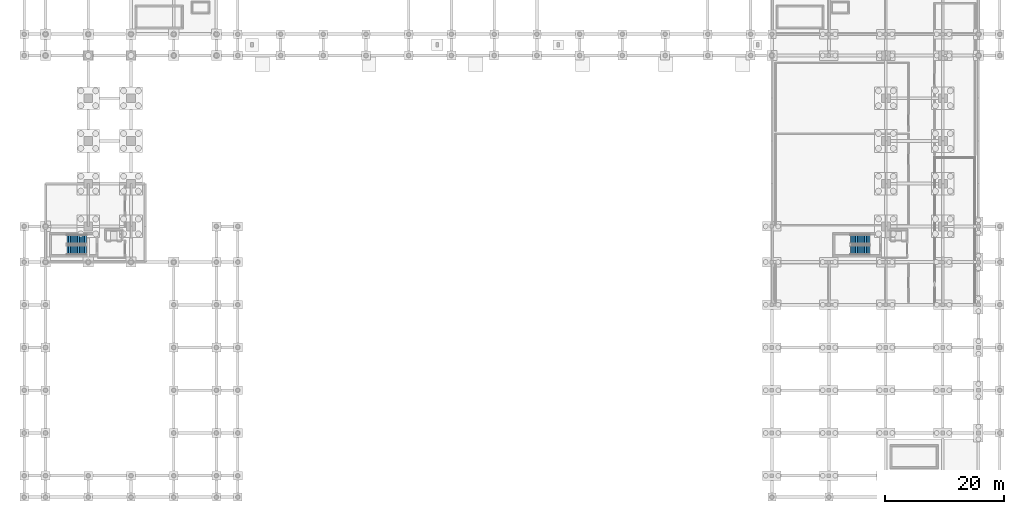
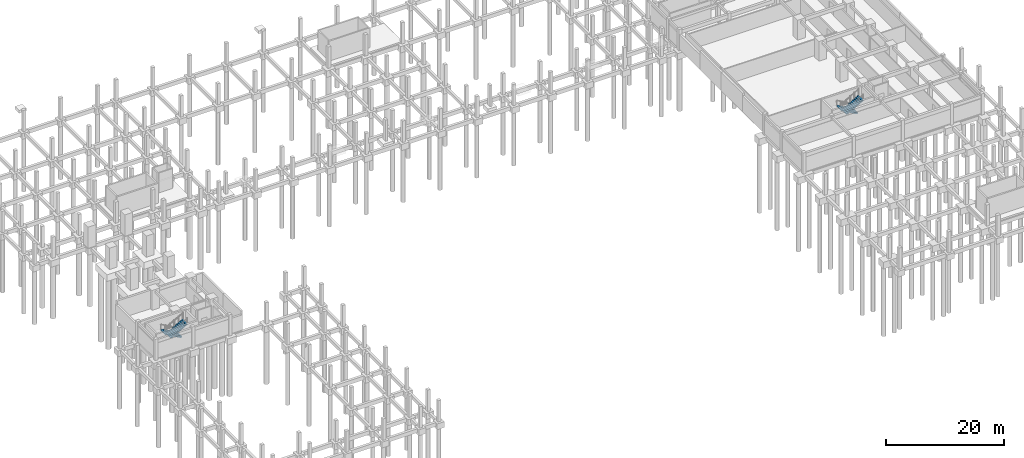
# One storey, part 17 of 20: 4 stair flights, 2 elements without a shape of their own.
"""IFC4 building model written with IfcOpenShell, lengths in metres."""

from ifc_helpers import new_model, si_unit, direction, frame, origin, place, context, subcontext, project, spatial, polyline, outline, extrude, material, type_object, element, aggregate, save


model = new_model("IFC4")

# Units and contexts
model_context = context("Model", 3, precision=1e-05, world=origin(), true_north=direction((0.0, 1.0)))
body_context = subcontext(model_context, "Body", "Model", "MODEL_VIEW")
ifc_project = project(units=[si_unit("LENGTHUNIT", "METRE"), si_unit("AREAUNIT", "SQUARE_METRE"), si_unit("VOLUMEUNIT", "CUBIC_METRE"), si_unit("PLANEANGLEUNIT", "RADIAN"), si_unit("MASSUNIT", "GRAM", prefix="KILO")], contexts=[model_context])

# Site, building, storey
site_placement = place(None, origin())
site = spatial("IfcSite", under=ifc_project, at=site_placement, CompositionType="ELEMENT")
building_placement = place(site_placement, origin())
building = spatial("IfcBuilding", under=site, at=building_placement, Name="Nzembalo Square Collegiate School", CompositionType="ELEMENT")
storey_placement = place(building_placement, frame((0.0, 0.0, -4.080078125)))
storey = spatial("IfcBuildingStorey", under=building, at=storey_placement, Name="B1", CompositionType="ELEMENT", Elevation=-4.080078125)

# Stair, stair flights
ifc_material_1 = material(Name="Precast concrete C40/50", Category="concrete")
stair_type = type_object("IfcStairType", Name="ST-24R", PredefinedType="HALF_TURN_STAIR", material=ifc_material_1)
stair_1_placement = place(storey_placement, origin())
stair_1 = element("IfcStair", 1, at=stair_1_placement, inside=storey, type_object=stair_type, Name="Escape stair ST-01 (C1 B1)", PredefinedType="HALF_TURN_STAIR")
ifc_material_2 = material(Name="Precast concrete C40/50", Category="concrete")
stair_flight_type = type_object("IfcStairFlightType", Name="FL-12R", PredefinedType="STRAIGHT", material=ifc_material_2)
stair_flight_1_placement = place(storey_placement, frame((15.300048828125, 48.199951171875, 0.0), z_axis=(0.0, 0.0, 1.0), x_axis=(-1.0, 0.0, 0.0)))
stair_flight_1 = element("IfcStairFlight", 2, at=stair_flight_1_placement, type_object=stair_flight_type, Name="ST-01 flight 1", NumberOfRisers=12, NumberOfTreads=11, PredefinedType="STRAIGHT", RiserHeight=0.17, TreadLength=0.3, context=body_context, shape_type="SweptSolid", body=[
    extrude(outline(polyline([(0.0, 0.0), (0.0, 0.169921875), (0.300048828125, 0.169921875), (0.300048828125, 0.340087890625), (0.60009765625, 0.340087890625), (0.60009765625, 0.510009765625), (0.89990234375, 0.510009765625), (0.89990234375, 0.679931640625), (1.199951171875, 0.679931640625), (1.199951171875, 0.85009765625), (1.5, 0.85009765625), (1.5, 1.02001953125), (1.800048828125, 1.02001953125), (1.800048828125, 1.18994140625), (2.10009765625, 1.18994140625), (2.10009765625, 1.360107421875), (2.39990234375, 1.360107421875), (2.39990234375, 1.530029296875), (2.699951171875, 1.530029296875), (2.699951171875, 1.699951171875), (3.0, 1.699951171875), (3.0, 1.8701171875), (3.300048828125, 1.8701171875), (3.300048828125, 2.0400390625), (3.300048828125, 1.686279296875), (0.324462890625, 0.0), (0.0, 0.0)])), frame((0.0, 0.800048828125, 0.0), z_axis=(0.0, -1.0, 0.0), x_axis=(1.0, 0.0, 0.0)), (0.0, 0.0, 1.0), 1.60009765625),
])
stair_flight_2_placement = place(storey_placement, frame((12.0, 46.39990234375, 2.0400390625), z_axis=(0.0, 0.0, 1.0), x_axis=(1.0, 0.0, 0.0)))
stair_flight_2 = element("IfcStairFlight", 3, at=stair_flight_2_placement, type_object=stair_flight_type, Name="ST-01 flight 2", NumberOfRisers=12, NumberOfTreads=11, PredefinedType="STRAIGHT", RiserHeight=0.17, TreadLength=0.3, context=body_context, shape_type="SweptSolid", body=[
    extrude(outline(polyline([(0.0, 0.0), (0.0, 0.169921875), (0.300048828125, 0.169921875), (0.300048828125, 0.340087890625), (0.60009765625, 0.340087890625), (0.60009765625, 0.510009765625), (0.89990234375, 0.510009765625), (0.89990234375, 0.679931640625), (1.199951171875, 0.679931640625), (1.199951171875, 0.85009765625), (1.5, 0.85009765625), (1.5, 1.02001953125), (1.800048828125, 1.02001953125), (1.800048828125, 1.18994140625), (2.10009765625, 1.18994140625), (2.10009765625, 1.360107421875), (2.39990234375, 1.360107421875), (2.39990234375, 1.530029296875), (2.699951171875, 1.530029296875), (2.699951171875, 1.699951171875), (3.0, 1.699951171875), (3.0, 1.8701171875), (3.300048828125, 1.8701171875), (3.300048828125, 2.0400390625), (3.300048828125, 1.686279296875), (0.324462890625, 0.0), (0.0, 0.0)])), frame((0.0, 0.800048828125, 0.0), z_axis=(0.0, -1.0, 0.0), x_axis=(1.0, 0.0, 0.0)), (0.0, 0.0, 1.0), 1.60009765625),
])
aggregate(stair_1, [stair_flight_1, stair_flight_2])

stair_2_placement = place(storey_placement, origin())
stair_2 = element("IfcStair", 4, at=stair_2_placement, inside=storey, type_object=stair_type, Name="Escape stair ST-18 (C5 B1)", PredefinedType="HALF_TURN_STAIR")
stair_flight_3_placement = place(storey_placement, frame((147.300048828125, 48.199951171875, 0.0), z_axis=(0.0, 0.0, 1.0), x_axis=(-1.0, 0.0, 0.0)))
stair_flight_3 = element("IfcStairFlight", 5, at=stair_flight_3_placement, type_object=stair_flight_type, Name="ST-18 flight 1", NumberOfRisers=12, NumberOfTreads=11, PredefinedType="STRAIGHT", RiserHeight=0.17, TreadLength=0.3, context=body_context, shape_type="SweptSolid", body=[
    extrude(outline(polyline([(0.0, 0.0), (0.0, 0.169921875), (0.300048828125, 0.169921875), (0.300048828125, 0.340087890625), (0.60009765625, 0.340087890625), (0.60009765625, 0.510009765625), (0.89990234375, 0.510009765625), (0.89990234375, 0.679931640625), (1.199951171875, 0.679931640625), (1.199951171875, 0.85009765625), (1.5, 0.85009765625), (1.5, 1.02001953125), (1.800048828125, 1.02001953125), (1.800048828125, 1.18994140625), (2.10009765625, 1.18994140625), (2.10009765625, 1.360107421875), (2.39990234375, 1.360107421875), (2.39990234375, 1.530029296875), (2.699951171875, 1.530029296875), (2.699951171875, 1.699951171875), (3.0, 1.699951171875), (3.0, 1.8701171875), (3.300048828125, 1.8701171875), (3.300048828125, 2.0400390625), (3.300048828125, 1.686279296875), (0.324462890625, 0.0), (0.0, 0.0)])), frame((0.0, 0.800048828125, 0.0), z_axis=(0.0, -1.0, 0.0), x_axis=(1.0, 0.0, 0.0)), (0.0, 0.0, 1.0), 1.60009765625),
])
stair_flight_4_placement = place(storey_placement, frame((144.0, 46.39990234375, 2.0400390625), z_axis=(0.0, 0.0, 1.0), x_axis=(1.0, 0.0, 0.0)))
stair_flight_4 = element("IfcStairFlight", 6, at=stair_flight_4_placement, type_object=stair_flight_type, Name="ST-18 flight 2", NumberOfRisers=12, NumberOfTreads=11, PredefinedType="STRAIGHT", RiserHeight=0.17, TreadLength=0.3, context=body_context, shape_type="SweptSolid", body=[
    extrude(outline(polyline([(0.0, 0.0), (0.0, 0.169921875), (0.300048828125, 0.169921875), (0.300048828125, 0.340087890625), (0.60009765625, 0.340087890625), (0.60009765625, 0.510009765625), (0.89990234375, 0.510009765625), (0.89990234375, 0.679931640625), (1.199951171875, 0.679931640625), (1.199951171875, 0.85009765625), (1.5, 0.85009765625), (1.5, 1.02001953125), (1.800048828125, 1.02001953125), (1.800048828125, 1.18994140625), (2.10009765625, 1.18994140625), (2.10009765625, 1.360107421875), (2.39990234375, 1.360107421875), (2.39990234375, 1.530029296875), (2.699951171875, 1.530029296875), (2.699951171875, 1.699951171875), (3.0, 1.699951171875), (3.0, 1.8701171875), (3.300048828125, 1.8701171875), (3.300048828125, 2.0400390625), (3.300048828125, 1.686279296875), (0.324462890625, 0.0), (0.0, 0.0)])), frame((0.0, 0.800048828125, 0.0), z_axis=(0.0, -1.0, 0.0), x_axis=(1.0, 0.0, 0.0)), (0.0, 0.0, 1.0), 1.60009765625),
])
aggregate(stair_2, [stair_flight_3, stair_flight_4])

save(model, "model.ifc")
